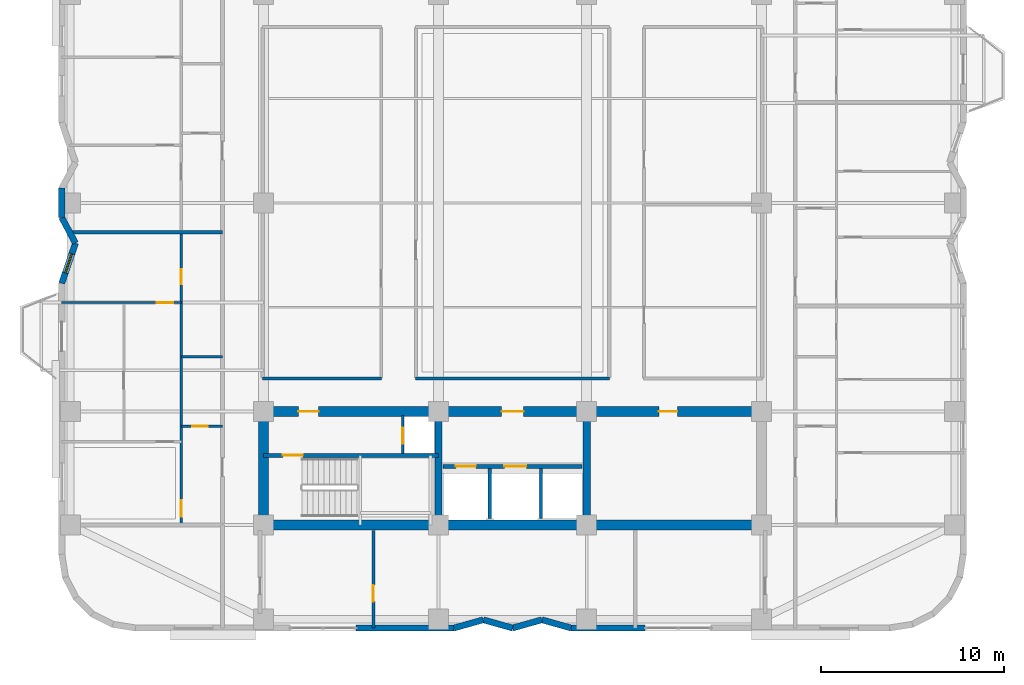
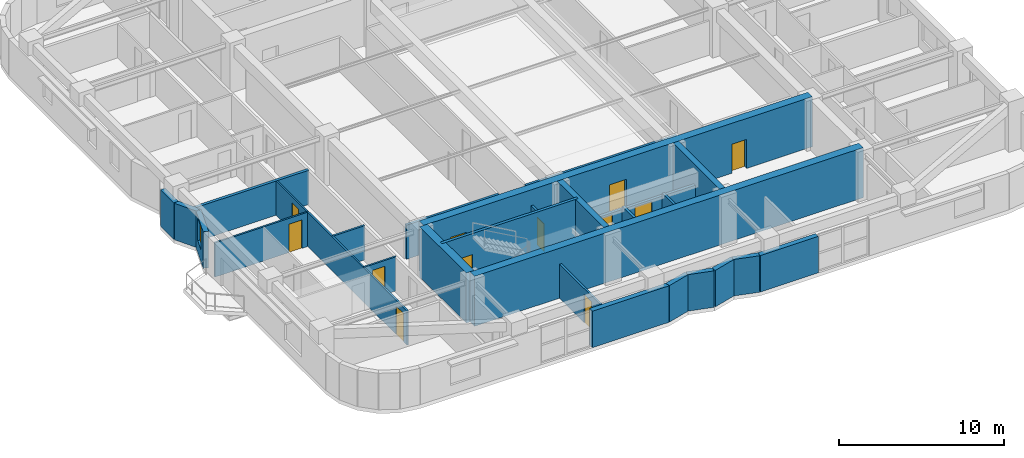
# One storey, part 8 of 15: 27 walls, 12 doors, 1 window, 13 openings.
"""IFC4 building model written with IfcOpenShell, lengths in metres."""

from ifc_helpers import new_model, si_unit, direction, frame, frame_2d, origin, place, context, subcontext, project, spatial, rectangle, extrude, material, layer, layer_set, type_object, element, fill, save


model = new_model("IFC4")

# Units and contexts
model_context = context("Model", 3, precision=1e-05, world=origin(), true_north=direction((0.0, 1.0)))
body_context = subcontext(model_context, "Body", "Model", "MODEL_VIEW")
ifc_project = project(units=[si_unit("LENGTHUNIT", "METRE"), si_unit("AREAUNIT", "SQUARE_METRE"), si_unit("VOLUMEUNIT", "CUBIC_METRE"), si_unit("PLANEANGLEUNIT", "RADIAN"), si_unit("MASSUNIT", "GRAM", prefix="KILO")], contexts=[model_context])

# Site, building, storey
site_placement = place(None, origin())
site = spatial("IfcSite", under=ifc_project, at=site_placement, CompositionType="ELEMENT")
building_placement = place(site_placement, origin())
building = spatial("IfcBuilding", under=site, at=building_placement, Name="Svetorya Sky Lyceum", CompositionType="ELEMENT")
storey_placement = place(building_placement, frame((0.0, 0.0, 117.89990234375)))
storey = spatial("IfcBuildingStorey", under=building, at=storey_placement, Name="L29", CompositionType="ELEMENT", Elevation=117.89990234375)

# Walls
ifc_material_1 = material(Name="Concrete C40/50", Category="concrete")
ifc_layer_1 = layer(ifc_material_1, 0.39990234375)
ifc_layer_set_1 = layer_set([ifc_layer_1], Name="Concrete C40/50")
wall_type_1 = type_object("IfcWallType", Name="WL-CORE-400", PredefinedType="SHEAR", material=ifc_layer_set_1)
for number, where, z_axis, x_axis, name in (
    (1, (35.14990234375, 10.875, 0.0), (0.0, 0.0, 1.0), (0.0, 1.0, 0.0), "L29 SC Internal Shear Web WEB1"),
    (2, (43.25, 10.875, 0.0), (0.0, 0.0, 1.0), (0.0, 1.0, 0.0), "L29 SC Internal Shear Web WEB2"),
):
    element("IfcWall", number, at=place(storey_placement, frame(where, z_axis=z_axis, x_axis=x_axis)), inside=storey, type_object=wall_type_1, Name=name, PredefinedType="SHEAR", context=body_context, shape_type="SweptSolid", body=[
        extrude(rectangle(XDim=5.64990234375, YDim=0.39990234375, at=frame_2d((2.824951171875, 0.0))), origin(), (0.0, 0.0, 1.0), 3.7001953125),
    ])
ifc_material_2 = material(Name="Concrete C60/75", Category="concrete")
ifc_layer_2 = layer(ifc_material_2, 0.550048828125)
ifc_layer_set_2 = layer_set([ifc_layer_2], Name="Concrete C60/75")
wall_type_2 = type_object("IfcWallType", Name="WL-CORE-550", PredefinedType="SHEAR", material=ifc_layer_set_2)
wall_1_placement = place(storey_placement, frame((52.800048828125, 10.60009765625, 0.0), z_axis=(0.0, 0.0, 1.0), x_axis=(-1.0, 0.0, 0.0)))
element("IfcWall", 3, at=wall_1_placement, inside=storey, type_object=wall_type_2, Name="L29 SC Outer Core Shear Wall", PredefinedType="SHEAR", context=body_context, shape_type="SweptSolid", body=[
    extrude(rectangle(XDim=27.199951171875, YDim=0.550048828125, at=frame_2d((13.60009765625, 0.0))), origin(), (0.0, 0.0, 1.0), 3.7001953125),
])
wall_2_placement = place(storey_placement, frame((25.60009765625, 10.875, 0.0), z_axis=(0.0, 0.0, 1.0), x_axis=(0.0, 1.0, 0.0)))
element("IfcWall", 4, at=wall_2_placement, inside=storey, type_object=wall_type_2, Name="L29 SC West Core Shear Wall", PredefinedType="SHEAR", context=body_context, shape_type="SweptSolid", body=[
    extrude(rectangle(XDim=5.64990234375, YDim=0.550048828125, at=frame_2d((2.824951171875, 0.0))), origin(), (0.0, 0.0, 1.0), 3.7001953125),
])

# Wall, openings, doors
wall_3_placement = place(storey_placement, frame((25.60009765625, 16.800048828125, 0.0), z_axis=(0.0, 0.0, 1.0), x_axis=(1.0, 0.0, 0.0)))
wall_3 = element("IfcWall", 5, at=wall_3_placement, inside=storey, type_object=wall_type_2, Name="L29 SC Inner Core Shear Wall", PredefinedType="SHEAR", context=body_context, shape_type="SweptSolid", body=[
    extrude(rectangle(XDim=27.199951171875, YDim=0.550048828125, at=frame_2d((13.60009765625, 0.0))), origin(), (0.0, 0.0, 1.0), 3.7001953125),
])
opening_1_placement = place(wall_3_placement, frame((1.89990234375, 0.0, 0.0)))
opening_1 = element("IfcOpeningElement", 6, at=opening_1_placement, cuts=wall_3, Name="Opening D-ST1", PredefinedType="OPENING", context=body_context, shape_type="SweptSolid", body=[
    extrude(rectangle(XDim=1.10009765625, YDim=2.14990234375, at=frame_2d((0.550048828125, 1.074951171875))), frame((0.0, 0.284912109375, 0.0), z_axis=(0.0, -1.0, 0.0), x_axis=(1.0, 0.0, 0.0)), (0.0, 0.0, 1.0), 0.570068359375),
])
opening_2_placement = place(wall_3_placement, frame((13.0, 0.0, 0.0)))
opening_2 = element("IfcOpeningElement", 7, at=opening_2_placement, cuts=wall_3, Name="Opening D-FL1", PredefinedType="OPENING", context=body_context, shape_type="SweptSolid", body=[
    extrude(rectangle(XDim=1.199951171875, YDim=2.14990234375, at=frame_2d((0.60009765625, 1.074951171875))), frame((0.0, 0.284912109375, 0.0), z_axis=(0.0, -1.0, 0.0), x_axis=(1.0, 0.0, 0.0)), (0.0, 0.0, 1.0), 0.570068359375),
])
opening_3_placement = place(wall_3_placement, frame((21.60009765625, 0.0, 0.0)))
opening_3 = element("IfcOpeningElement", 8, at=opening_3_placement, cuts=wall_3, Name="Opening D-RM2", PredefinedType="OPENING", context=body_context, shape_type="SweptSolid", body=[
    extrude(rectangle(XDim=1.0, YDim=2.14990234375, at=frame_2d((0.5, 1.074951171875))), frame((0.0, 0.284912109375, 0.0), z_axis=(0.0, -1.0, 0.0), x_axis=(1.0, 0.0, 0.0)), (0.0, 0.0, 1.0), 0.570068359375),
])
ifc_material_3 = material(Name="Powder-coated insulated galvanized stair fire door")
door_type_1 = type_object("IfcDoorType", Name="DR-FIRE-1100", OperationType="SINGLE_SWING_LEFT", PredefinedType="DOOR", material=ifc_material_3)
door_1_placement = place(opening_1_placement, origin())
door_1 = element("IfcDoor", 9, at=door_1_placement, inside=storey, type_object=door_type_1, Name="L29 South Stair Airlock Door", OperationType="SINGLE_SWING_RIGHT", OverallHeight=2.14990234375, OverallWidth=1.10009765625, PredefinedType="DOOR", context=body_context, shape_type="SweptSolid", body=[
    extrude(rectangle(XDim=1.10009765625, YDim=2.14990234375, at=frame_2d((0.550048828125, 1.074951171875))), frame((0.0, 0.02490234375, 0.0), z_axis=(0.0, -1.0, 0.0), x_axis=(1.0, 0.0, 0.0)), (0.0, 0.0, 1.0), 0.050048828125),
])
fill(opening_1, door_1)
ifc_material_4 = material(Name="Powder-coated insulated galvanized fire door")
door_type_2 = type_object("IfcDoorType", Name="DR-FIRE-1200", OperationType="SINGLE_SWING_LEFT", PredefinedType="DOOR", material=ifc_material_4)
door_2_placement = place(opening_2_placement, origin())
door_2 = element("IfcDoor", 10, at=door_2_placement, inside=storey, type_object=door_type_2, Name="L29 South Firefighting Lift Lobby Door", OperationType="SINGLE_SWING_LEFT", OverallHeight=2.14990234375, OverallWidth=1.199951171875, PredefinedType="DOOR", context=body_context, shape_type="SweptSolid", body=[
    extrude(rectangle(XDim=1.199951171875, YDim=2.14990234375, at=frame_2d((0.60009765625, 1.074951171875))), frame((0.0, 0.02490234375, 0.0), z_axis=(0.0, -1.0, 0.0), x_axis=(1.0, 0.0, 0.0)), (0.0, 0.0, 1.0), 0.050048828125),
])
fill(opening_2, door_2)
ifc_material_5 = material(Name="Solid-core oak acoustic room door")
door_type_3 = type_object("IfcDoorType", Name="DR-INT-1000", OperationType="SINGLE_SWING_LEFT", PredefinedType="DOOR", material=ifc_material_5)
door_3_placement = place(opening_3_placement, origin())
door_3 = element("IfcDoor", 11, at=door_3_placement, inside=storey, type_object=door_type_3, Name="L29 Trunk Store Door", OperationType="SINGLE_SWING_LEFT", OverallHeight=2.14990234375, OverallWidth=1.0, PredefinedType="DOOR", context=body_context, shape_type="SweptSolid", body=[
    extrude(rectangle(XDim=1.0, YDim=2.14990234375, at=frame_2d((0.5, 1.074951171875))), frame((0.0, 0.02490234375, 0.0), z_axis=(0.0, -1.0, 0.0), x_axis=(1.0, 0.0, 0.0)), (0.0, 0.0, 1.0), 0.050048828125),
])
fill(opening_3, door_3)

# Walls
ifc_material_6 = material(Name="Putilovo limestone rainscreen on autoclaved cellular masonry", Category="masonry")
ifc_layer_3 = layer(ifc_material_6, 0.340087890625)
ifc_layer_set_3 = layer_set([ifc_layer_3], Name="Putilovo limestone rainscreen on autoclaved cellular masonry")
wall_type_3 = type_object("IfcWallType", Name="WL-EXT-340", PredefinedType="SOLIDWALL", material=ifc_layer_set_3)
wall_4_placement = place(storey_placement, frame((30.64990234375, 4.969970703125, 0.0), z_axis=(0.0, 0.0, 1.0), x_axis=(1.0, 0.0, 0.0)))
element("IfcWall", 12, at=wall_4_placement, inside=storey, type_object=wall_type_3, Name="L29 Limestone Exterior Wall 6B", PredefinedType="SOLIDWALL", context=body_context, shape_type="SweptSolid", body=[
    extrude(rectangle(XDim=5.35009765625, YDim=0.340087890625, at=frame_2d((2.675048828125, 0.0))), origin(), (0.0, 0.0, 1.0), 2.7001953125),
])
wall_5_placement = place(storey_placement, frame((36.0, 4.969970703125, 0.0), z_axis=(0.0, 0.0, 1.0), x_axis=(0.962662902433, 0.270703040766, 0.0)))
element("IfcWall", 13, at=wall_5_placement, inside=storey, type_object=wall_type_3, Name="L29 Limestone Exterior Wall 7M", PredefinedType="SOLIDWALL", context=body_context, shape_type="SweptSolid", body=[
    extrude(rectangle(XDim=1.662109375, YDim=0.340087890625, at=frame_2d((0.8310546875, 0.0))), origin(), (0.0, 0.0, 1.0), 2.7001953125),
])
wall_6_placement = place(storey_placement, frame((37.60009765625, 5.419921875, 0.0), z_axis=(0.0, 0.0, 1.0), x_axis=(0.962652136636, -0.270741322725, 0.0)))
element("IfcWall", 14, at=wall_6_placement, inside=storey, type_object=wall_type_3, Name="L29 Limestone Exterior Wall 8M", PredefinedType="SOLIDWALL", context=body_context, shape_type="SweptSolid", body=[
    extrude(rectangle(XDim=1.661865234375, YDim=0.340087890625, at=frame_2d((0.8310546875, 0.0))), origin(), (0.0, 0.0, 1.0), 2.7001953125),
])
wall_7_placement = place(storey_placement, frame((39.199951171875, 4.969970703125, 0.0), z_axis=(0.0, 0.0, 1.0), x_axis=(0.962662902433, 0.270703040766, 0.0)))
element("IfcWall", 15, at=wall_7_placement, inside=storey, type_object=wall_type_3, Name="L29 Limestone Exterior Wall 9M", PredefinedType="SOLIDWALL", context=body_context, shape_type="SweptSolid", body=[
    extrude(rectangle(XDim=1.662109375, YDim=0.340087890625, at=frame_2d((0.8310546875, 0.0))), origin(), (0.0, 0.0, 1.0), 2.7001953125),
])
wall_8_placement = place(storey_placement, frame((40.800048828125, 5.419921875, 0.0), z_axis=(0.0, 0.0, 1.0), x_axis=(0.962652136636, -0.270741322725, 0.0)))
element("IfcWall", 16, at=wall_8_placement, inside=storey, type_object=wall_type_3, Name="L29 Limestone Exterior Wall 10M", PredefinedType="SOLIDWALL", context=body_context, shape_type="SweptSolid", body=[
    extrude(rectangle(XDim=1.661865234375, YDim=0.340087890625, at=frame_2d((0.8310546875, 0.0))), origin(), (0.0, 0.0, 1.0), 2.7001953125),
])
wall_9_placement = place(storey_placement, frame((42.39990234375, 4.969970703125, 0.0), z_axis=(0.0, 0.0, 1.0), x_axis=(1.0, 0.0, 0.0)))
element("IfcWall", 17, at=wall_9_placement, inside=storey, type_object=wall_type_3, Name="L29 Limestone Exterior Wall 11A", PredefinedType="SOLIDWALL", context=body_context, shape_type="SweptSolid", body=[
    extrude(rectangle(XDim=4.050048828125, YDim=0.340087890625, at=frame_2d((2.02490234375, 0.0))), origin(), (0.0, 0.0, 1.0), 2.7001953125),
])
wall_10_placement = place(storey_placement, frame((14.570068359375, 29.0, 0.0), z_axis=(0.0, 0.0, 1.0), x_axis=(0.0, -1.0, 0.0)))
element("IfcWall", 18, at=wall_10_placement, inside=storey, type_object=wall_type_3, Name="L29 Limestone Exterior Wall 43M", PredefinedType="SOLIDWALL", context=body_context, shape_type="SweptSolid", body=[
    extrude(rectangle(XDim=1.60009765625, YDim=0.340087890625, at=frame_2d((0.800048828125, 0.0))), origin(), (0.0, 0.0, 1.0), 2.7001953125),
])
wall_11_placement = place(storey_placement, frame((14.570068359375, 27.39990234375, 0.0), z_axis=(0.0, 0.0, 1.0), x_axis=(0.472247007964, -0.881466257703, 0.0)))
element("IfcWall", 19, at=wall_11_placement, inside=storey, type_object=wall_type_3, Name="L29 Limestone Exterior Wall 44M", PredefinedType="SOLIDWALL", context=body_context, shape_type="SweptSolid", body=[
    extrude(rectangle(XDim=1.588134765625, YDim=0.340087890625, at=frame_2d((0.7939453125, 0.0))), origin(), (0.0, 0.0, 1.0), 2.7001953125),
])

# Wall, opening, window
wall_12_placement = place(storey_placement, frame((15.320068359375, 26.0, 0.0), z_axis=(0.0, 0.0, 1.0), x_axis=(-0.322680343871, -0.946508000853, 0.0)))
wall_12 = element("IfcWall", 20, at=wall_12_placement, inside=storey, type_object=wall_type_3, Name="L29 Limestone Exterior Wall 45M", PredefinedType="SOLIDWALL", context=body_context, shape_type="SweptSolid", body=[
    extrude(rectangle(XDim=2.32421875, YDim=0.340087890625, at=frame_2d((1.162109375, 0.0))), origin(), (0.0, 0.0, 1.0), 2.7001953125),
])
opening_4_placement = place(wall_12_placement, frame((0.6123046875, 0.0, 0.889892578125)))
opening_4 = element("IfcOpeningElement", 21, at=opening_4_placement, cuts=wall_12, Name="Opening W-R3", PredefinedType="OPENING", context=body_context, shape_type="SweptSolid", body=[
    extrude(rectangle(XDim=1.10009765625, YDim=1.64990234375, at=frame_2d((0.550048828125, 0.824951171875))), frame((0.0, 0.179931640625, 0.0), z_axis=(0.0, -1.0, 0.0), x_axis=(1.0, 0.0, 0.0)), (0.0, 0.0, 1.0), 0.360107421875),
])
ifc_material_7 = material(Name="Thermally broken aluminium frame with triple low-E glazing", Category="aluminium")
window_type = type_object("IfcWindowType", Name="WN-RES-110", PartitioningType="SINGLE_PANEL", PredefinedType="WINDOW", material=ifc_material_7)
window_placement = place(opening_4_placement, origin())
window = element("IfcWindow", 22, at=window_placement, inside=storey, type_object=window_type, Name="L29 Facade Window W-R3.45M.1", OverallHeight=1.64990234375, OverallWidth=1.10009765625, PartitioningType="SINGLE_PANEL", PredefinedType="WINDOW", context=body_context, shape_type="SweptSolid", body=[
    extrude(rectangle(XDim=1.10009765625, YDim=1.64990234375, at=frame_2d((0.550048828125, 0.824951171875))), frame((0.0, 0.030029296875, 0.0), z_axis=(0.0, -1.0, 0.0), x_axis=(1.0, 0.0, 0.0)), (0.0, 0.0, 1.0), 0.06005859375),
])
fill(opening_4, window)

# Wall, opening, door
ifc_material_8 = material(Name="Twin-stud galvanized framing with double fireboard", Category="gypsum")
ifc_layer_4 = layer(ifc_material_8, 0.1201171875)
ifc_layer_set_4 = layer_set([ifc_layer_4], Name="Twin-stud galvanized framing with double fireboard")
wall_type_4 = type_object("IfcWallType", Name="WL-PART-120", PredefinedType="PARTITIONING", material=ifc_layer_set_4)
wall_13_placement = place(storey_placement, frame((21.10009765625, 16.0, 0.0), z_axis=(0.0, 0.0, 1.0), x_axis=(1.0, 0.0, 0.0)))
wall_13 = element("IfcWall", 23, at=wall_13_placement, inside=storey, type_object=wall_type_4, Name="L29 Interior Partition W1-WH1", PredefinedType="PARTITIONING", context=body_context, shape_type="SweptSolid", body=[
    extrude(rectangle(XDim=2.25, YDim=0.1201171875, at=frame_2d((1.125, 0.0))), origin(), (0.0, 0.0, 1.0), 2.530029296875),
])
opening_5_placement = place(wall_13_placement, frame((0.60009765625, 0.0, 0.0)))
opening_5 = element("IfcOpeningElement", 24, at=opening_5_placement, cuts=wall_13, Name="Opening D-BT1", PredefinedType="OPENING", context=body_context, shape_type="SweptSolid", body=[
    extrude(rectangle(XDim=0.85009765625, YDim=2.10009765625, at=frame_2d((0.425048828125, 1.050048828125))), frame((0.0, 0.070068359375, 0.0), z_axis=(0.0, -1.0, 0.0), x_axis=(1.0, 0.0, 0.0)), (0.0, 0.0, 1.0), 0.14013671875),
])
ifc_material_9 = material(Name="Moisture-resistant laminate bathroom door")
door_type_4 = type_object("IfcDoorType", Name="DR-WET-850", OperationType="SINGLE_SWING_LEFT", PredefinedType="DOOR", material=ifc_material_9)
door_4_placement = place(opening_5_placement, origin())
door_4 = element("IfcDoor", 25, at=door_4_placement, inside=storey, type_object=door_type_4, Name="Apartment W1 Bathroom Door", OperationType="SINGLE_SWING_LEFT", OverallHeight=2.10009765625, OverallWidth=0.85009765625, PredefinedType="DOOR", context=body_context, shape_type="SweptSolid", body=[
    extrude(rectangle(XDim=0.85009765625, YDim=2.10009765625, at=frame_2d((0.425048828125, 1.050048828125))), frame((0.0, 0.02490234375, 0.0), z_axis=(0.0, -1.0, 0.0), x_axis=(1.0, 0.0, 0.0)), (0.0, 0.0, 1.0), 0.050048828125),
])
fill(opening_5, door_4)

wall_14_placement = place(storey_placement, frame((14.570068359375, 22.75, 0.0), z_axis=(0.0, 0.0, 1.0), x_axis=(1.0, 0.0, 0.0)))
wall_14 = element("IfcWall", 26, at=wall_14_placement, inside=storey, type_object=wall_type_4, Name="L29 Interior Partition W1-WL2", PredefinedType="PARTITIONING", context=body_context, shape_type="SweptSolid", body=[
    extrude(rectangle(XDim=6.530029296875, YDim=0.1201171875, at=frame_2d((3.26513671875, 0.0))), origin(), (0.0, 0.0, 1.0), 2.530029296875),
])
opening_6_placement = place(wall_14_placement, frame((5.179931640625, 0.0, 0.0)))
opening_6 = element("IfcOpeningElement", 27, at=opening_6_placement, cuts=wall_14, Name="Opening D-RM1", PredefinedType="OPENING", context=body_context, shape_type="SweptSolid", body=[
    extrude(rectangle(XDim=0.89990234375, YDim=2.10009765625, at=frame_2d((0.449951171875, 1.050048828125))), frame((0.0, 0.070068359375, 0.0), z_axis=(0.0, -1.0, 0.0), x_axis=(1.0, 0.0, 0.0)), (0.0, 0.0, 1.0), 0.14013671875),
])
ifc_material_10 = material(Name="Lacquered birch veneer internal door")
door_type_5 = type_object("IfcDoorType", Name="DR-INT-900", OperationType="SINGLE_SWING_LEFT", PredefinedType="DOOR", material=ifc_material_10)
door_5_placement = place(opening_6_placement, origin())
door_5 = element("IfcDoor", 28, at=door_5_placement, inside=storey, type_object=door_type_5, Name="Apartment W1 Bedroom 2 Door", OperationType="SINGLE_SWING_RIGHT", OverallHeight=2.10009765625, OverallWidth=0.89990234375, PredefinedType="DOOR", context=body_context, shape_type="SweptSolid", body=[
    extrude(rectangle(XDim=0.89990234375, YDim=2.10009765625, at=frame_2d((0.449951171875, 1.050048828125))), frame((0.0, 0.02490234375, 0.0), z_axis=(0.0, -1.0, 0.0), x_axis=(1.0, 0.0, 0.0)), (0.0, 0.0, 1.0), 0.050048828125),
])
fill(opening_6, door_5)

# Wall, openings, doors
wall_15_placement = place(storey_placement, frame((21.10009765625, 10.639892578125, 0.0), z_axis=(0.0, 0.0, 1.0), x_axis=(0.0, 1.0, 0.0)))
wall_15 = element("IfcWall", 29, at=wall_15_placement, inside=storey, type_object=wall_type_4, Name="L29 Interior Partition W1-WV", PredefinedType="PARTITIONING", context=body_context, shape_type="SweptSolid", body=[
    extrude(rectangle(XDim=15.920166015625, YDim=0.1201171875, at=frame_2d((7.9599609375, 0.0))), origin(), (0.0, 0.0, 1.0), 2.530029296875),
])
opening_7_placement = place(wall_15_placement, frame((0.409912109375, 0.0, 0.0)))
opening_7 = element("IfcOpeningElement", 30, at=opening_7_placement, cuts=wall_15, Name="Opening D-RM1", PredefinedType="OPENING", context=body_context, shape_type="SweptSolid", body=[
    extrude(rectangle(XDim=0.89990234375, YDim=2.10009765625, at=frame_2d((0.449951171875, 1.050048828125))), frame((0.0, 0.070068359375, 0.0), z_axis=(0.0, -1.0, 0.0), x_axis=(1.0, 0.0, 0.0)), (0.0, 0.0, 1.0), 0.14013671875),
])
opening_8_placement = place(wall_15_placement, frame((13.125, 0.0, 0.0)))
opening_8 = element("IfcOpeningElement", 31, at=opening_8_placement, cuts=wall_15, Name="Opening D-BT2", PredefinedType="OPENING", context=body_context, shape_type="SweptSolid", body=[
    extrude(rectangle(XDim=0.820068359375, YDim=2.080078125, at=frame_2d((0.41015625, 1.0400390625))), frame((0.0, 0.070068359375, 0.0), z_axis=(0.0, -1.0, 0.0), x_axis=(1.0, 0.0, 0.0)), (0.0, 0.0, 1.0), 0.14013671875),
])
door_6_placement = place(opening_7_placement, origin())
door_6 = element("IfcDoor", 32, at=door_6_placement, inside=storey, type_object=door_type_5, Name="Apartment W1 Living Door", OperationType="SINGLE_SWING_RIGHT", OverallHeight=2.10009765625, OverallWidth=0.89990234375, PredefinedType="DOOR", context=body_context, shape_type="SweptSolid", body=[
    extrude(rectangle(XDim=0.89990234375, YDim=2.10009765625, at=frame_2d((0.449951171875, 1.050048828125))), frame((0.0, 0.02490234375, 0.0), z_axis=(0.0, -1.0, 0.0), x_axis=(1.0, 0.0, 0.0)), (0.0, 0.0, 1.0), 0.050048828125),
])
fill(opening_7, door_6)
ifc_material_11 = material(Name="Compact moisture-resistant laminate closet door")
door_type_6 = type_object("IfcDoorType", Name="DR-WET-820", OperationType="SINGLE_SWING_LEFT", PredefinedType="DOOR", material=ifc_material_11)
door_7_placement = place(opening_8_placement, origin())
door_7 = element("IfcDoor", 33, at=door_7_placement, inside=storey, type_object=door_type_6, Name="Apartment W1 Study Door", OperationType="SINGLE_SWING_LEFT", OverallHeight=2.080078125, OverallWidth=0.820068359375, PredefinedType="DOOR", context=body_context, shape_type="SweptSolid", body=[
    extrude(rectangle(XDim=0.820068359375, YDim=2.080078125, at=frame_2d((0.41015625, 1.0400390625))), frame((0.0, 0.02490234375, 0.0), z_axis=(0.0, -1.0, 0.0), x_axis=(1.0, 0.0, 0.0)), (0.0, 0.0, 1.0), 0.050048828125),
])
fill(opening_8, door_7)

# Wall
ifc_material_12 = material(Name="Twin-stud galvanized framing with acoustic board", Category="gypsum")
ifc_layer_5 = layer(ifc_material_12, 0.135009765625)
ifc_layer_set_5 = layer_set([ifc_layer_5], Name="Twin-stud galvanized framing with acoustic board")
wall_type_5 = type_object("IfcWallType", Name="WL-PART-135", PredefinedType="PARTITIONING", material=ifc_layer_set_5)
wall_16_placement = place(storey_placement, frame((21.10009765625, 19.800048828125, 0.0), z_axis=(0.0, 0.0, 1.0), x_axis=(1.0, 0.0, 0.0)))
element("IfcWall", 34, at=wall_16_placement, inside=storey, type_object=wall_type_5, Name="L29 Interior Partition W1-WH2", PredefinedType="PARTITIONING", context=body_context, shape_type="SweptSolid", body=[
    extrude(rectangle(XDim=2.25, YDim=0.135009765625, at=frame_2d((1.125, 0.0))), origin(), (0.0, 0.0, 1.0), 2.530029296875),
])

# Wall, opening, door
ifc_material_13 = material(Name="Autoclaved cellular masonry blockwork with acoustic render", Category="masonry")
ifc_layer_6 = layer(ifc_material_13, 0.14990234375)
ifc_layer_set_6 = layer_set([ifc_layer_6], Name="Autoclaved cellular masonry blockwork with acoustic render")
wall_type_6 = type_object("IfcWallType", Name="WL-PART-150", PredefinedType="PARTITIONING", material=ifc_layer_set_6)
wall_17_placement = place(storey_placement, frame((33.199951171875, 14.5, 0.0), z_axis=(0.0, 0.0, 1.0), x_axis=(0.0, 1.0, 0.0)))
wall_17 = element("IfcWall", 35, at=wall_17_placement, inside=storey, type_object=wall_type_6, Name="L29 Interior Partition SC-AIRDIV", PredefinedType="PARTITIONING", context=body_context, shape_type="SweptSolid", body=[
    extrude(rectangle(XDim=2.080078125, YDim=0.14990234375, at=frame_2d((1.0400390625, 0.0))), origin(), (0.0, 0.0, 1.0), 2.530029296875),
])
opening_9_placement = place(wall_17_placement, frame((0.550048828125, 0.0, 0.0)))
opening_9 = element("IfcOpeningElement", 36, at=opening_9_placement, cuts=wall_17, Name="Opening D-SH1", PredefinedType="OPENING", context=body_context, shape_type="SweptSolid", body=[
    extrude(rectangle(XDim=0.85009765625, YDim=2.050048828125, at=frame_2d((0.425048828125, 1.02490234375))), frame((0.0, 0.0849609375, 0.0), z_axis=(0.0, -1.0, 0.0), x_axis=(1.0, 0.0, 0.0)), (0.0, 0.0, 1.0), 0.169921875),
])
ifc_material_14 = material(Name="Insulated galvanized riser inspection fire door")
door_type_7 = type_object("IfcDoorType", Name="DR-SHFT-850", OperationType="SINGLE_SWING_LEFT", PredefinedType="TRAPDOOR", material=ifc_material_14)
door_8_placement = place(opening_9_placement, origin())
door_8 = element("IfcDoor", 37, at=door_8_placement, inside=storey, type_object=door_type_7, Name="L29 South Riser Access Door", OperationType="SINGLE_SWING_RIGHT", OverallHeight=2.050048828125, OverallWidth=0.85009765625, PredefinedType="TRAPDOOR", context=body_context, shape_type="SweptSolid", body=[
    extrude(rectangle(XDim=0.85009765625, YDim=2.050048828125, at=frame_2d((0.425048828125, 1.02490234375))), frame((0.0, 0.02490234375, 0.0), z_axis=(0.0, -1.0, 0.0), x_axis=(1.0, 0.0, 0.0)), (0.0, 0.0, 1.0), 0.050048828125),
])
fill(opening_9, door_8)

wall_18_placement = place(storey_placement, frame((31.60009765625, 4.969970703125, 0.0), z_axis=(0.0, 0.0, 1.0), x_axis=(0.0, 1.0, 0.0)))
wall_18 = element("IfcWall", 38, at=wall_18_placement, inside=storey, type_object=wall_type_6, Name="L29 Interior Partition S-D1", PredefinedType="PARTITIONING", context=body_context, shape_type="SweptSolid", body=[
    extrude(rectangle(XDim=5.330078125, YDim=0.14990234375, at=frame_2d((2.6650390625, 0.0))), origin(), (0.0, 0.0, 1.0), 2.530029296875),
])
opening_10_placement = place(wall_18_placement, frame((1.449951171875, 0.0, 0.0)))
opening_10 = element("IfcOpeningElement", 39, at=opening_10_placement, cuts=wall_18, Name="Opening D-RM1", PredefinedType="OPENING", context=body_context, shape_type="SweptSolid", body=[
    extrude(rectangle(XDim=0.89990234375, YDim=2.10009765625, at=frame_2d((0.449951171875, 1.050048828125))), frame((0.0, 0.0849609375, 0.0), z_axis=(0.0, -1.0, 0.0), x_axis=(1.0, 0.0, 0.0)), (0.0, 0.0, 1.0), 0.169921875),
])
door_9_placement = place(opening_10_placement, origin())
door_9 = element("IfcDoor", 40, at=door_9_placement, inside=storey, type_object=door_type_5, Name="L29 South Store Door", OperationType="SINGLE_SWING_LEFT", OverallHeight=2.10009765625, OverallWidth=0.89990234375, PredefinedType="DOOR", context=body_context, shape_type="SweptSolid", body=[
    extrude(rectangle(XDim=0.89990234375, YDim=2.10009765625, at=frame_2d((0.449951171875, 1.050048828125))), frame((0.0, 0.02490234375, 0.0), z_axis=(0.0, -1.0, 0.0), x_axis=(1.0, 0.0, 0.0)), (0.0, 0.0, 1.0), 0.050048828125),
])
fill(opening_10, door_9)

# Walls
ifc_material_15 = material(Name="Autoclaved cellular masonry blockwork with fire render", Category="masonry")
ifc_layer_7 = layer(ifc_material_15, 0.175048828125)
ifc_layer_set_7 = layer_set([ifc_layer_7], Name="Autoclaved cellular masonry blockwork with fire render")
wall_type_7 = type_object("IfcWallType", Name="WL-PART-175", PredefinedType="PARTITIONING", material=ifc_layer_set_7)
for number, where, z_axis, x_axis, name in (
    (41, (37.949951171875, 10.949951171875, 0.0), (0.0, 0.0, 1.0), (0.0, 1.0, 0.0), "L29 Interior Partition SC-SHD1"),
    (42, (40.75, 10.949951171875, 0.0), (0.0, 0.0, 1.0), (0.0, 1.0, 0.0), "L29 Interior Partition SC-SHD2"),
):
    element("IfcWall", number, at=place(storey_placement, frame(where, z_axis=z_axis, x_axis=x_axis)), inside=storey, type_object=wall_type_7, Name=name, PredefinedType="PARTITIONING", context=body_context, shape_type="SweptSolid", body=[
        extrude(rectangle(XDim=2.75, YDim=0.175048828125, at=frame_2d((1.375, 0.0))), origin(), (0.0, 0.0, 1.0), 2.530029296875),
    ])
wall_19_placement = place(storey_placement, frame((25.550048828125, 18.60009765625, 0.0), z_axis=(0.0, 0.0, 1.0), x_axis=(1.0, 0.0, 0.0)))
element("IfcWall", 43, at=wall_19_placement, inside=storey, type_object=wall_type_7, Name="L29 Interior Partition RL-CS-W", PredefinedType="PARTITIONING", context=body_context, shape_type="SweptSolid", body=[
    extrude(rectangle(XDim=6.5, YDim=0.175048828125, at=frame_2d((3.25, 0.0))), origin(), (0.0, 0.0, 1.0), 2.530029296875),
])
wall_20_placement = place(storey_placement, frame((33.89990234375, 18.60009765625, 0.0), z_axis=(0.0, 0.0, 1.0), x_axis=(1.0, 0.0, 0.0)))
element("IfcWall", 44, at=wall_20_placement, inside=storey, type_object=wall_type_7, Name="L29 Interior Partition RL-CS-M", PredefinedType="PARTITIONING", context=body_context, shape_type="SweptSolid", body=[
    extrude(rectangle(XDim=10.60009765625, YDim=0.175048828125, at=frame_2d((5.300048828125, 0.0))), origin(), (0.0, 0.0, 1.0), 2.530029296875),
])

# Wall, openings, doors
ifc_material_16 = material(Name="Autoclaved cellular masonry blockwork with gypsum plaster", Category="masonry")
ifc_layer_8 = layer(ifc_material_16, 0.199951171875)
ifc_layer_set_8 = layer_set([ifc_layer_8], Name="Autoclaved cellular masonry blockwork with gypsum plaster")
wall_type_8 = type_object("IfcWallType", Name="WL-PART-200", PredefinedType="PARTITIONING", material=ifc_layer_set_8)
wall_21_placement = place(storey_placement, frame((35.39990234375, 13.800048828125, 0.0), z_axis=(0.0, 0.0, 1.0), x_axis=(1.0, 0.0, 0.0)))
wall_21 = element("IfcWall", 45, at=wall_21_placement, inside=storey, type_object=wall_type_8, Name="L29 Interior Partition SC-FLW", PredefinedType="PARTITIONING", context=body_context, shape_type="SweptSolid", body=[
    extrude(rectangle(XDim=7.60009765625, YDim=0.199951171875, at=frame_2d((3.800048828125, 0.0))), origin(), (0.0, 0.0, 1.0), 2.300048828125),
])
opening_11_placement = place(wall_21_placement, frame((0.699951171875, 0.0, 0.0)))
opening_11 = element("IfcOpeningElement", 46, at=opening_11_placement, cuts=wall_21, Name="Opening LD-FL", PredefinedType="OPENING", context=body_context, shape_type="SweptSolid", body=[
    extrude(rectangle(XDim=1.10009765625, YDim=2.14990234375, at=frame_2d((0.550048828125, 1.074951171875))), frame((0.0, 0.10986328125, 0.0), z_axis=(0.0, -1.0, 0.0), x_axis=(1.0, 0.0, 0.0)), (0.0, 0.0, 1.0), 0.219970703125),
])
opening_12_placement = place(wall_21_placement, frame((3.35009765625, 0.0, 0.0)))
opening_12 = element("IfcOpeningElement", 47, at=opening_12_placement, cuts=wall_21, Name="Opening LD-SV", PredefinedType="OPENING", context=body_context, shape_type="SweptSolid", body=[
    extrude(rectangle(XDim=1.199951171875, YDim=2.14990234375, at=frame_2d((0.60009765625, 1.074951171875))), frame((0.0, 0.10986328125, 0.0), z_axis=(0.0, -1.0, 0.0), x_axis=(1.0, 0.0, 0.0)), (0.0, 0.0, 1.0), 0.219970703125),
])
ifc_material_17 = material(Name="Fire-rated stainless AISI 304 firefighting lift landing door")
door_type_8 = type_object("IfcDoorType", Name="DR-LIFT-1100", OperationType="SLIDING_TO_LEFT", PredefinedType="DOOR", material=ifc_material_17)
door_10_placement = place(opening_11_placement, origin())
door_10 = element("IfcDoor", 48, at=door_10_placement, inside=storey, type_object=door_type_8, Name="L29 Firefighting Lift FL2 Landing Door", OperationType="SLIDING_TO_LEFT", OverallHeight=2.14990234375, OverallWidth=1.10009765625, PredefinedType="DOOR", context=body_context, shape_type="SweptSolid", body=[
    extrude(rectangle(XDim=1.10009765625, YDim=2.14990234375, at=frame_2d((0.550048828125, 1.074951171875))), frame((0.0, 0.02490234375, 0.0), z_axis=(0.0, -1.0, 0.0), x_axis=(1.0, 0.0, 0.0)), (0.0, 0.0, 1.0), 0.050048828125),
])
fill(opening_11, door_10)
ifc_material_18 = material(Name="Brushed stainless AISI 304 telescopic lift landing door")
door_type_9 = type_object("IfcDoorType", Name="DR-LIFT-1200", OperationType="SLIDING_TO_LEFT", PredefinedType="DOOR", material=ifc_material_18)
door_11_placement = place(opening_12_placement, origin())
door_11 = element("IfcDoor", 49, at=door_11_placement, inside=storey, type_object=door_type_9, Name="L29 Service Lift SVL1 Landing Door", OperationType="SLIDING_TO_LEFT", OverallHeight=2.14990234375, OverallWidth=1.199951171875, PredefinedType="DOOR", context=body_context, shape_type="SweptSolid", body=[
    extrude(rectangle(XDim=1.199951171875, YDim=2.14990234375, at=frame_2d((0.60009765625, 1.074951171875))), frame((0.0, 0.02490234375, 0.0), z_axis=(0.0, -1.0, 0.0), x_axis=(1.0, 0.0, 0.0)), (0.0, 0.0, 1.0), 0.050048828125),
])
fill(opening_12, door_11)

# Wall
wall_22_placement = place(storey_placement, frame((14.99853515625, 26.60009765625, 0.0), z_axis=(0.0, 0.0, 1.0), x_axis=(1.0, 0.0, 0.0)))
element("IfcWall", 50, at=wall_22_placement, inside=storey, type_object=wall_type_8, Name="L29 Interior Partition W-PARTY-1", PredefinedType="PARTITIONING", context=body_context, shape_type="SweptSolid", body=[
    extrude(rectangle(XDim=8.3515625, YDim=0.199951171875, at=frame_2d((4.17578125, 0.0))), origin(), (0.0, 0.0, 1.0), 2.530029296875),
])

# Wall, opening, door
ifc_material_19 = material(Name="Concrete C50/60", Category="concrete")
ifc_layer_9 = layer(ifc_material_19, 0.199951171875)
ifc_layer_set_9 = layer_set([ifc_layer_9], Name="Concrete C50/60")
wall_type_9 = type_object("IfcWallType", Name="WL-SHW-200", PredefinedType="SHEAR", material=ifc_layer_set_9)
wall_23_placement = place(storey_placement, frame((25.60009765625, 14.39990234375, 0.0), z_axis=(0.0, 0.0, 1.0), x_axis=(1.0, 0.0, 0.0)))
wall_23 = element("IfcWall", 51, at=wall_23_placement, inside=storey, type_object=wall_type_9, Name="L29 Structural Stair Shaft Wall SC-STW", PredefinedType="SHEAR", context=body_context, shape_type="SweptSolid", body=[
    extrude(rectangle(XDim=9.5498046875, YDim=0.199951171875, at=frame_2d((4.77490234375, 0.0))), origin(), (0.0, 0.0, 1.0), 3.7001953125),
])
opening_13_placement = place(wall_23_placement, frame((1.050048828125, 0.0, 0.0)))
opening_13 = element("IfcOpeningElement", 52, at=opening_13_placement, cuts=wall_23, Name="Opening D-ST1", PredefinedType="OPENING", context=body_context, shape_type="SweptSolid", body=[
    extrude(rectangle(XDim=1.10009765625, YDim=2.14990234375, at=frame_2d((0.550048828125, 1.074951171875))), frame((0.0, 0.10986328125, 0.0), z_axis=(0.0, -1.0, 0.0), x_axis=(1.0, 0.0, 0.0)), (0.0, 0.0, 1.0), 0.219970703125),
])
door_12_placement = place(opening_13_placement, origin())
door_12 = element("IfcDoor", 53, at=door_12_placement, inside=storey, type_object=door_type_1, Name="L29 Stair ST-S Vestibule Fire Door", OperationType="SINGLE_SWING_LEFT", OverallHeight=2.14990234375, OverallWidth=1.10009765625, PredefinedType="DOOR", context=body_context, shape_type="SweptSolid", body=[
    extrude(rectangle(XDim=1.10009765625, YDim=2.14990234375, at=frame_2d((0.550048828125, 1.074951171875))), frame((0.0, 0.02490234375, 0.0), z_axis=(0.0, -1.0, 0.0), x_axis=(1.0, 0.0, 0.0)), (0.0, 0.0, 1.0), 0.050048828125),
])
fill(opening_13, door_12)

save(model, "model.ifc")
